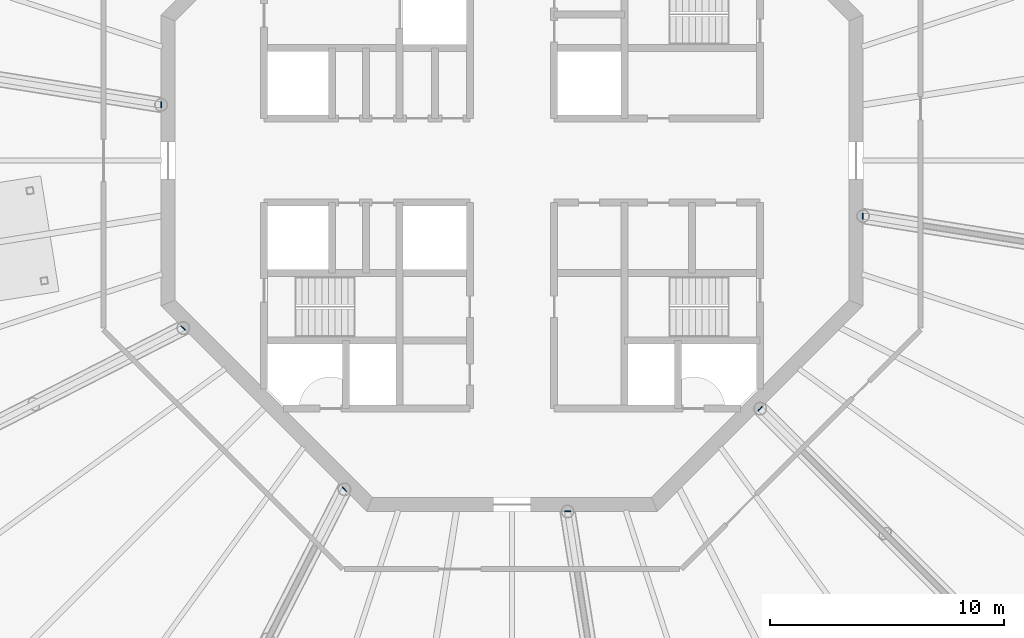
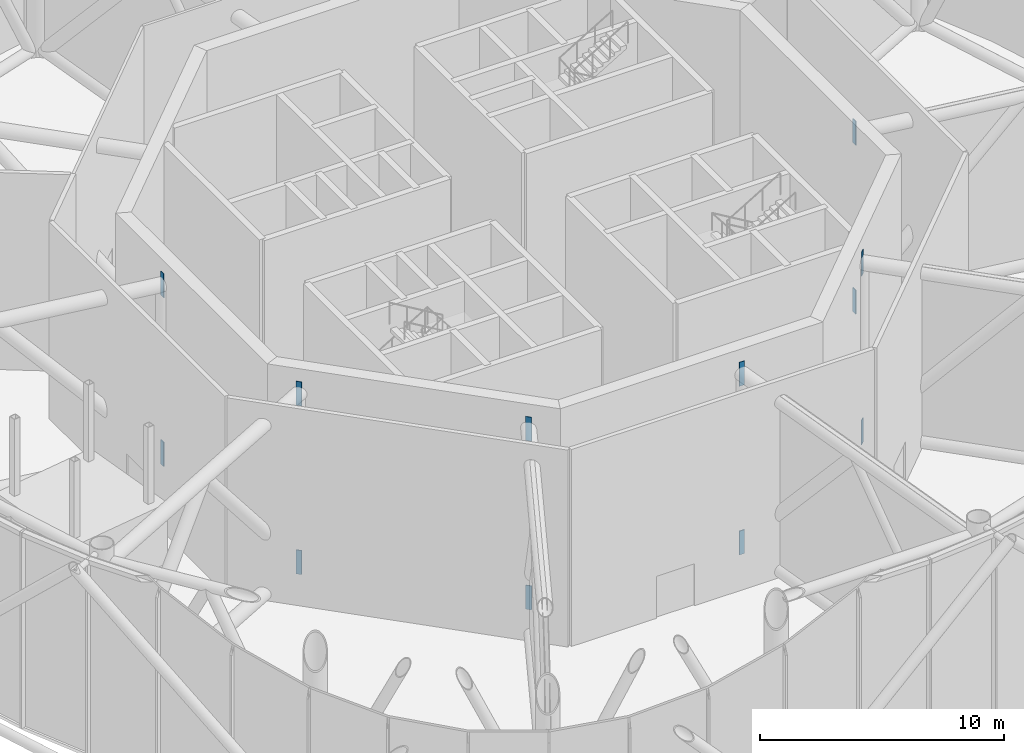
# One storey, part 10 of 23: 12 discrete accessories.
"""IFC4 building model written with IfcOpenShell, lengths in metres."""

from ifc_helpers import new_model, si_unit, direction, frame, origin, origin_2d, place, context, subcontext, project, spatial, rectangle, extrude, material, element, save


model = new_model("IFC4")

# Units and contexts
model_context = context("Model", 3, precision=1e-05, world=origin(), true_north=direction((0.0, 1.0)))
body_context = subcontext(model_context, "Body", "Model", "MODEL_VIEW")
ifc_project = project(units=[si_unit("LENGTHUNIT", "METRE"), si_unit("AREAUNIT", "SQUARE_METRE"), si_unit("VOLUMEUNIT", "CUBIC_METRE"), si_unit("PLANEANGLEUNIT", "RADIAN"), si_unit("MASSUNIT", "GRAM", prefix="KILO")], contexts=[model_context])

# Site, building, storey
site_placement = place(None, origin())
site = spatial("IfcSite", under=ifc_project, at=site_placement, CompositionType="ELEMENT")
building_placement = place(site_placement, origin())
building = spatial("IfcBuilding", under=site, at=building_placement, Name="Entoto Ring Tower", CompositionType="ELEMENT")
storey_placement = place(building_placement, frame((0.0, 0.0, 392.0)))
storey = spatial("IfcBuildingStorey", under=building, at=storey_placement, Name="L91", CompositionType="ELEMENT", Elevation=392.0)

# Discrete accessories
ifc_material = material(Name="Steel S355", Category="steel")
for number, where, z_axis, x_axis, name in (
    (1, (75.0, 82.375732421875, -0.27001953125), (0.0, 0.0, 1.0), (-1.0, 0.0, 0.0), "Embedded plate L91 bottom 05"),
    (2, (75.0, 82.375732421875, 8.1669921875), (0.0, 0.0, 1.0), (-1.0, 0.0, 0.0), "Embedded plate L91 top 05"),
    (3, (75.947021484375, 72.839599609375, -0.27001953125), (0.0, 0.0, 1.0), (-0.707106781187, -0.707106781187, 0.0), "Embedded plate L91 bottom 06"),
    (4, (75.947021484375, 72.839599609375, 8.1669921875), (0.0, 0.0, 1.0), (-0.707106781187, -0.707106781187, 0.0), "Embedded plate L91 top 06"),
    (5, (82.839599609375, 65.947021484375, -0.27001953125), (0.0, 0.0, 1.0), (-0.707106781187, -0.707106781187, 0.0), "Embedded plate L91 bottom 07"),
    (6, (82.839599609375, 65.947021484375, 8.1669921875), (0.0, 0.0, 1.0), (-0.707106781187, -0.707106781187, 0.0), "Embedded plate L91 top 07"),
    (7, (92.375732421875, 65.0, -0.27001953125), (0.0, 0.0, 1.0), (0.0, -1.0, 0.0), "Embedded plate L91 bottom 08"),
    (8, (92.375732421875, 65.0, 8.1669921875), (0.0, 0.0, 1.0), (0.0, -1.0, 0.0), "Embedded plate L91 top 08"),
    (9, (100.606689453125, 69.393310546875, -0.27001953125), (0.0, 0.0, 1.0), (0.707106781187, -0.707106781187, 0.0), "Embedded plate L91 bottom 09"),
    (10, (100.606689453125, 69.393310546875, 8.1669921875), (0.0, 0.0, 1.0), (0.707106781187, -0.707106781187, 0.0), "Embedded plate L91 top 09"),
    (11, (105.0, 77.624267578125, -0.27001953125), (0.0, 0.0, 1.0), (1.0, 0.0, 0.0), "Embedded plate L91 bottom 10"),
    (12, (105.0, 77.624267578125, 8.1669921875), (0.0, 0.0, 1.0), (1.0, 0.0, 0.0), "Embedded plate L91 top 10"),
):
    element("IfcDiscreteAccessory", number, at=place(storey_placement, frame(where, z_axis=z_axis, x_axis=x_axis)), inside=storey, material=ifc_material, Name=name, PredefinedType="ANCHORPLATE", context=body_context, shape_type="SweptSolid", body=[
        extrude(rectangle(XDim=0.0400390625, YDim=0.25, at=origin_2d()), origin(), (0.0, 0.0, 1.0), 1.199951171875),
    ])

save(model, "model.ifc")
